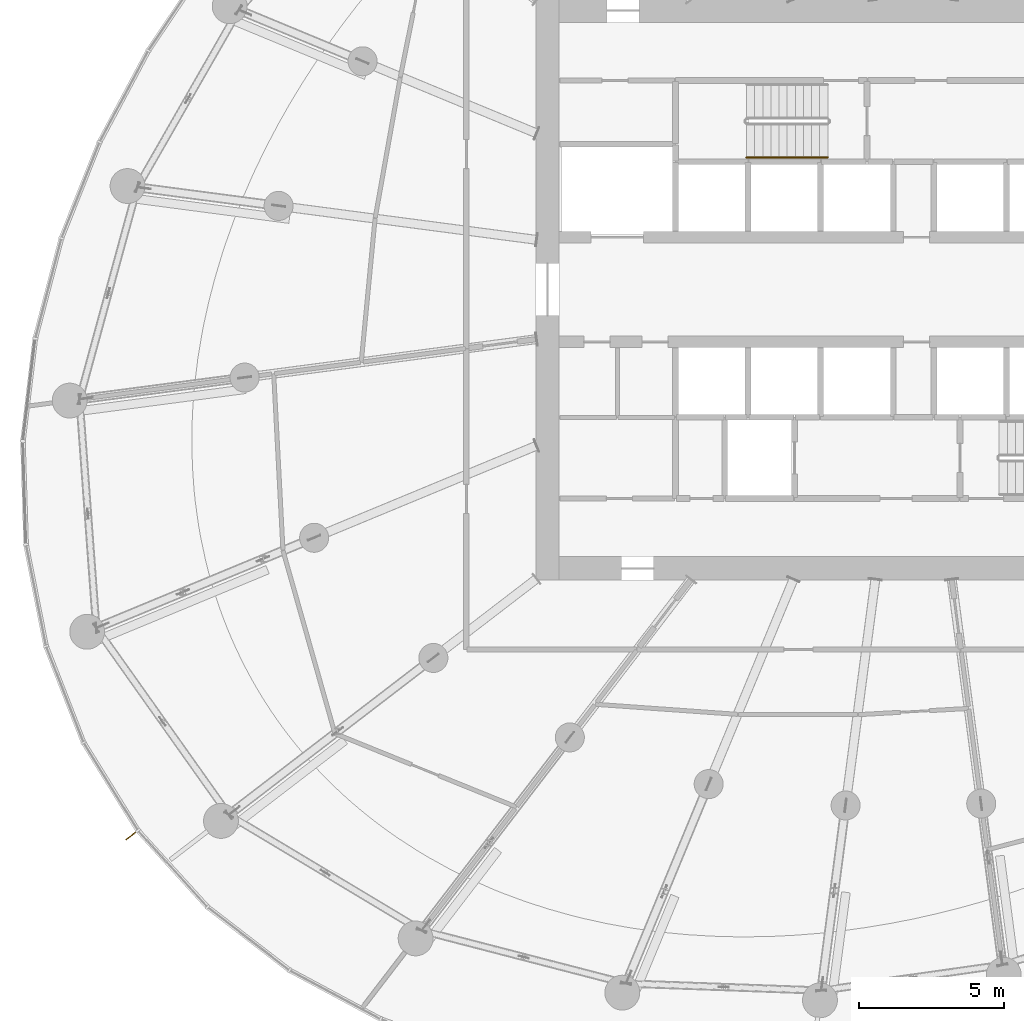
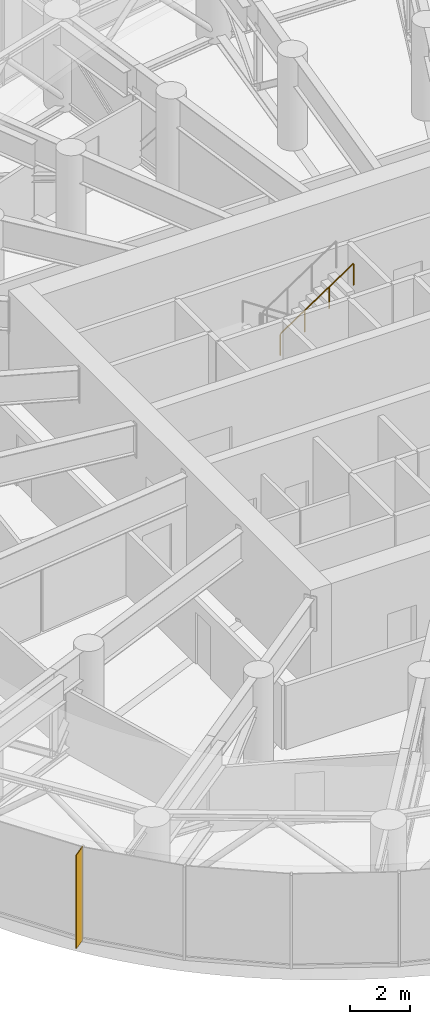
# One storey, part 31 of 33: 1 railing, 1 shading device.
"""IFC4 building model written with IfcOpenShell, lengths in metres."""

from ifc_helpers import new_model, si_unit, direction, frame, origin, origin_2d, place, context, subcontext, project, spatial, rectangle, circle, extrude, source, transform, mapped, material, material_profile, profile_set, type_object, element, save


model = new_model("IFC4")

# Units and contexts
model_context = context("Model", 3, precision=1e-05, world=origin(), true_north=direction((0.0, 1.0)))
body_context = subcontext(model_context, "Body", "Model", "MODEL_VIEW")
ifc_project = project(units=[si_unit("LENGTHUNIT", "METRE"), si_unit("AREAUNIT", "SQUARE_METRE"), si_unit("VOLUMEUNIT", "CUBIC_METRE"), si_unit("PLANEANGLEUNIT", "RADIAN"), si_unit("MASSUNIT", "GRAM", prefix="KILO")], contexts=[model_context])

# Site, building, storey
site_placement = place(None, origin())
site = spatial("IfcSite", under=ifc_project, at=site_placement, CompositionType="ELEMENT")
building_placement = place(site_placement, origin())
building = spatial("IfcBuilding", under=site, at=building_placement, Name="Spindrift Exchange Tower", CompositionType="ELEMENT")
storey_placement = place(building_placement, frame((0.0, 0.0, 129.0)))
storey = spatial("IfcBuildingStorey", under=building, at=storey_placement, Name="L30", CompositionType="ELEMENT", Elevation=129.0)

# Railing
ifc_material_1 = material(Name="Steel tubular handrail", Category="steel")
railing_type = type_object("IfcRailingType", Name="RL-STAIR-HAND", PredefinedType="HANDRAIL", material=ifc_material_1)
railing_placement = place(storey_placement, frame((46.25, 52.550048828125, 2.236328125)))
element("IfcRailing", 1, at=railing_placement, inside=storey, type_object=railing_type, Name="L30 ST1 stair handrail 2", PredefinedType="HANDRAIL", context=body_context, shape_type="SweptSolid", body=[
    extrude(circle(Radius=0.02392578125, at=origin_2d()), frame((0.0, 0.0, 0.8759765625), z_axis=(0.832452072856, 0.0, 0.554097055034), x_axis=(0.0, 1.0, 0.0)), (0.0, 0.0, 1.0), 3.363525390625),
    extrude(circle(Radius=0.02099609375, at=origin_2d()), origin(), (0.0, 0.0, 1.0), 0.851806640625),
    extrude(circle(Radius=0.02099609375, at=origin_2d()), frame((0.933349609375, 0.0, 0.621337890625)), (0.0, 0.0, 1.0), 0.851806640625),
    extrude(circle(Radius=0.02099609375, at=origin_2d()), frame((1.86669921875, 0.0, 1.242431640625)), (0.0, 0.0, 1.0), 0.851806640625),
    extrude(circle(Radius=0.02099609375, at=origin_2d()), frame((2.800048828125, 0.0, 1.86376953125)), (0.0, 0.0, 1.0), 0.851806640625),
])

# Shading device
ifc_material_2 = material(Name="Bronze anodised aluminium", Category="aluminium")
ifc_material_profile = material_profile(ifc_material_2, rectangle(XDim=0.030029296875, YDim=0.550048828125, at=origin_2d()), Name="WIND FIN 30X550")
ifc_profile_set = profile_set([ifc_material_profile], Name="Bronze anodised aluminium")
shading_device_type = type_object("IfcShadingDeviceType", Name="WIND FIN 30X550", PredefinedType="USERDEFINED", material=ifc_profile_set)
shared_shape = source(origin(), body_context, "Body", "SweptSolid", [
    extrude(rectangle(XDim=0.030029296875, YDim=0.550048828125, at=origin_2d()), origin(), (0.0, 0.0, 1.0), 3.780029296875),
])
shading_device_placement = place(storey_placement, frame((25.097412109375, 29.220703125, 0.0), z_axis=(0.0, 0.0, 1.0), x_axis=(0.602084008214, -0.798432744226, 0.0)))
element("IfcShadingDevice", 2, at=shading_device_placement, inside=storey, type_object=shading_device_type, Name="L30 wind fin 1", ObjectType="FIN", PredefinedType="USERDEFINED", context=body_context, shape_type="MappedRepresentation", body=[
    mapped(shared_shape, transform((0.0, 0.0, 0.0), scale=1.0)),
])

save(model, "model.ifc")
